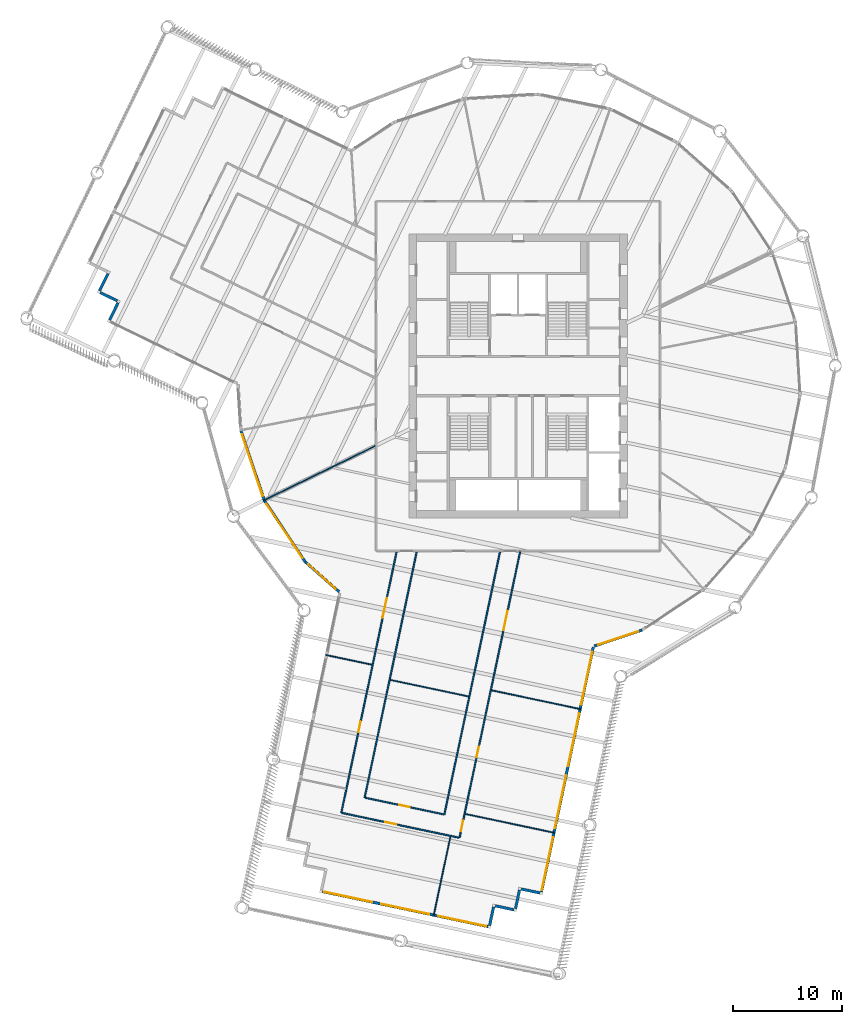
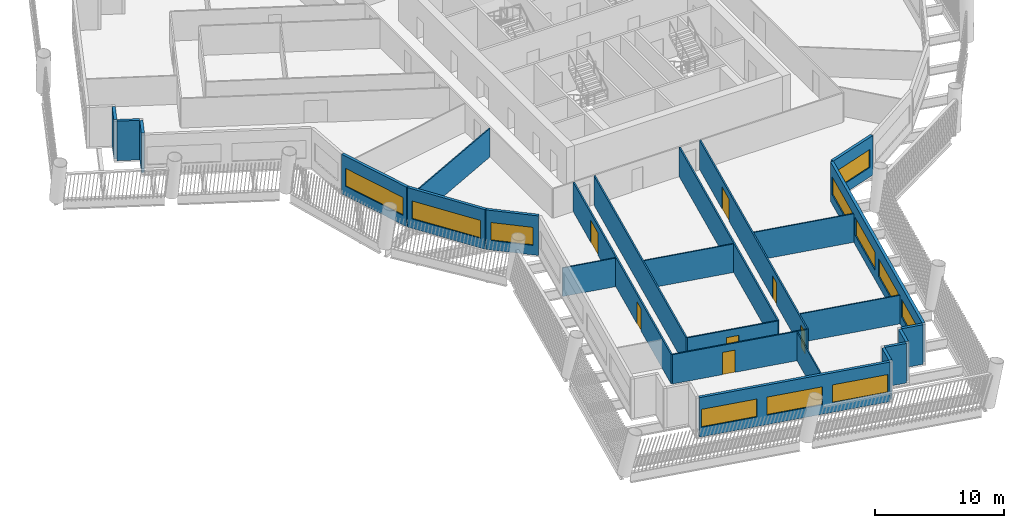
# One storey, part 3 of 15: 25 walls, 11 windows, 7 doors, 18 openings.
"""IFC4 building model written with IfcOpenShell, lengths in metres."""

from ifc_helpers import new_model, si_unit, direction, frame, frame_2d, origin, place, context, subcontext, project, spatial, rectangle, extrude, material, layer, layer_set, type_object, element, fill, save


model = new_model("IFC4")

# Units and contexts
model_context = context("Model", 3, precision=1e-05, world=origin(), true_north=direction((0.0, 1.0)))
body_context = subcontext(model_context, "Body", "Model", "MODEL_VIEW")
ifc_project = project(units=[si_unit("LENGTHUNIT", "METRE"), si_unit("AREAUNIT", "SQUARE_METRE"), si_unit("VOLUMEUNIT", "CUBIC_METRE"), si_unit("PLANEANGLEUNIT", "RADIAN"), si_unit("MASSUNIT", "GRAM", prefix="KILO")], contexts=[model_context])

# Site, building, storey
site_placement = place(None, origin())
site = spatial("IfcSite", under=ifc_project, at=site_placement, CompositionType="ELEMENT")
building_placement = place(site_placement, origin())
building = spatial("IfcBuilding", under=site, at=building_placement, Name="Tarsis Ring Headquarters", CompositionType="ELEMENT")
storey_placement = place(building_placement, frame((0.0, 0.0, 174.89990234375)))
storey = spatial("IfcBuildingStorey", under=building, at=storey_placement, Name="L40", CompositionType="ELEMENT", Elevation=174.89990234375)

# Walls
ifc_material_1 = material(Name="Gypsum board on steel studs", Category="steel")
ifc_layer_1 = layer(ifc_material_1, 0.10009765625)
ifc_layer_set_1 = layer_set([ifc_layer_1], Name="FL partition 100 unrated")
wall_type_1 = type_object("IfcWallType", Name="FL partition 100 unrated", PredefinedType="PARTITIONING", material=ifc_layer_set_1)
wall_1_placement = place(storey_placement, frame((-23.313720703125, -11.39111328125, 0.0), z_axis=(0.0, 0.0, 1.0), x_axis=(0.898488280008, 0.438997506472, 0.0)))
element("IfcWall", 1, at=wall_1_placement, inside=storey, type_object=wall_type_1, Name="Partition PW3", PredefinedType="PARTITIONING", context=body_context, shape_type="SweptSolid", body=[
    extrude(rectangle(XDim=11.388916015625, YDim=0.10009765625, at=frame_2d((5.6943359375, 0.0))), origin(), (0.0, 0.0, 1.0), 2.7001953125),
])
for number, where, z_axis, x_axis, name in (
    (2, (-4.830322265625, -40.0791015625, 0.0), (0.0, 0.0, 1.0), (0.978295265472, -0.207215765703, 0.0), "Partition PW3"),
    (3, (-2.4326171875, -28.76025390625, 0.0), (0.0, 0.0, 1.0), (0.978295265472, -0.207215765703, 0.0), "Partition PW3"),
):
    element("IfcWall", number, at=place(storey_placement, frame(where, z_axis=z_axis, x_axis=x_axis)), inside=storey, type_object=wall_type_1, Name=name, PredefinedType="PARTITIONING", context=body_context, shape_type="SweptSolid", body=[
        extrude(rectangle(XDim=8.369873046875, YDim=0.10009765625, at=frame_2d((4.18505859375, 0.0))), origin(), (0.0, 0.0, 1.0), 2.7001953125),
    ])
wall_2_placement = place(storey_placement, frame((-11.697021484375, -27.809814453125, 0.0), z_axis=(0.0, 0.0, 1.0), x_axis=(0.978294604451, -0.207218886453, 0.0)))
element("IfcWall", 4, at=wall_2_placement, inside=storey, type_object=wall_type_1, Name="Partition PW3", PredefinedType="PARTITIONING", context=body_context, shape_type="SweptSolid", body=[
    extrude(rectangle(XDim=7.320068359375, YDim=0.10009765625, at=frame_2d((3.66015625, 0.0))), origin(), (0.0, 0.0, 1.0), 2.7001953125),
])
wall_3_placement = place(storey_placement, frame((-7.739013671875, -49.4189453125, 0.0), z_axis=(0.0, 0.0, 1.0), x_axis=(0.207227496715, 0.978292780616, 0.0)))
element("IfcWall", 5, at=wall_3_placement, inside=storey, type_object=wall_type_1, Name="Partition PW3", PredefinedType="PARTITIONING", context=body_context, shape_type="SweptSolid", body=[
    extrude(rectangle(XDim=7.419921875, YDim=0.10009765625, at=frame_2d((3.7099609375, 0.0))), origin(), (0.0, 0.0, 1.0), 2.7001953125),
])
wall_4_placement = place(storey_placement, frame((-17.62158203125, -25.522216796875, 0.0), z_axis=(0.0, 0.0, 1.0), x_axis=(0.9782857701, -0.207260589643, 0.0)))
element("IfcWall", 6, at=wall_4_placement, inside=storey, type_object=wall_type_1, Name="Partition PW3", PredefinedType="PARTITIONING", context=body_context, shape_type="SweptSolid", body=[
    extrude(rectangle(XDim=4.330078125, YDim=0.10009765625, at=frame_2d((2.1650390625, 0.0))), origin(), (0.0, 0.0, 1.0), 2.7001953125),
])

# Wall, openings, doors
ifc_layer_2 = layer(ifc_material_1, 0.125)
ifc_layer_set_2 = layer_set([ifc_layer_2], Name="FL partition 125 EI 60 H2770")
wall_type_2 = type_object("IfcWallType", Name="FL partition 125 EI 60 H2770", PredefinedType="PARTITIONING", material=ifc_layer_set_2)
wall_5_placement = place(storey_placement, frame((-5.364990234375, -42.265625, 0.0), z_axis=(0.0, 0.0, 1.0), x_axis=(0.207227062336, 0.978292872628, 0.0)))
wall_5 = element("IfcWall", 7, at=wall_5_placement, inside=storey, type_object=wall_type_2, Name="Partition PW1", PredefinedType="PARTITIONING", context=body_context, shape_type="SweptSolid", body=[
    extrude(rectangle(XDim=26.848388671875, YDim=0.125, at=frame_2d((13.42431640625, 0.0))), origin(), (0.0, 0.0, 1.0), 2.77001953125),
])
opening_1_placement = place(wall_5_placement, frame((19.43603515625, 0.0, 0.0)))
opening_1 = element("IfcOpeningElement", 8, at=opening_1_placement, cuts=wall_5, Name="Opening D40.10", PredefinedType="OPENING", context=body_context, shape_type="SweptSolid", body=[
    extrude(rectangle(XDim=1.800048828125, YDim=2.10009765625, at=frame_2d((0.89990234375, 1.050048828125))), frame((0.0, 0.072509765625, 0.0), z_axis=(0.0, -1.0, 0.0), x_axis=(1.0, 0.0, 0.0)), (0.0, 0.0, 1.0), 0.14501953125),
])
opening_2_placement = place(wall_5_placement, frame((7.53564453125, 0.0, 0.0)))
opening_2 = element("IfcOpeningElement", 9, at=opening_2_placement, cuts=wall_5, Name="Opening D40.11", PredefinedType="OPENING", context=body_context, shape_type="SweptSolid", body=[
    extrude(rectangle(XDim=1.0, YDim=2.10009765625, at=frame_2d((0.5, 1.050048828125))), frame((0.0, 0.072509765625, 0.0), z_axis=(0.0, -1.0, 0.0), x_axis=(1.0, 0.0, 0.0)), (0.0, 0.0, 1.0), 0.14501953125),
])
opening_3_placement = place(wall_5_placement, frame((0.623779296875, 0.0, 0.0)))
opening_3 = element("IfcOpeningElement", 10, at=opening_3_placement, cuts=wall_5, Name="Opening D40.12", PredefinedType="OPENING", context=body_context, shape_type="SweptSolid", body=[
    extrude(rectangle(XDim=1.0, YDim=2.10009765625, at=frame_2d((0.5, 1.050048828125))), frame((0.0, 0.072509765625, 0.0), z_axis=(0.0, -1.0, 0.0), x_axis=(1.0, 0.0, 0.0)), (0.0, 0.0, 1.0), 0.14501953125),
])
ifc_material_2 = material(Name="Fire-rated timber door leaf in steel frame", Category="steel")
door_type_1 = type_object("IfcDoorType", Name="FL door FD60-1000", OperationType="NOTDEFINED", PredefinedType="DOOR", material=ifc_material_2)
door_1_placement = place(opening_2_placement, origin())
door_1 = element("IfcDoor", 11, at=door_1_placement, inside=storey, type_object=door_type_1, Name="Door D40.11", OperationType="SINGLE_SWING_LEFT", OverallHeight=2.10009765625, OverallWidth=1.0, PredefinedType="DOOR", context=body_context, shape_type="SweptSolid", body=[
    extrude(rectangle(XDim=1.0, YDim=2.10009765625, at=frame_2d((0.5, 1.050048828125))), frame((0.0, 0.02490234375, 0.0), z_axis=(0.0, -1.0, 0.0), x_axis=(1.0, 0.0, 0.0)), (0.0, 0.0, 1.0), 0.050048828125),
])
fill(opening_2, door_1)
door_2_placement = place(opening_3_placement, origin())
door_2 = element("IfcDoor", 12, at=door_2_placement, inside=storey, type_object=door_type_1, Name="Door D40.12", OperationType="SINGLE_SWING_RIGHT", OverallHeight=2.10009765625, OverallWidth=1.0, PredefinedType="DOOR", context=body_context, shape_type="SweptSolid", body=[
    extrude(rectangle(XDim=1.0, YDim=2.10009765625, at=frame_2d((0.5, 1.050048828125))), frame((0.0, 0.02490234375, 0.0), z_axis=(0.0, -1.0, 0.0), x_axis=(1.0, 0.0, 0.0)), (0.0, 0.0, 1.0), 0.050048828125),
])
fill(opening_3, door_2)
door_type_2 = type_object("IfcDoorType", Name="FL door FD60-1800", OperationType="DOUBLE_DOOR_SINGLE_SWING", PredefinedType="DOOR", material=ifc_material_2)
door_3_placement = place(opening_1_placement, origin())
door_3 = element("IfcDoor", 13, at=door_3_placement, inside=storey, type_object=door_type_2, Name="Door D40.10", OperationType="DOUBLE_DOOR_SINGLE_SWING", OverallHeight=2.10009765625, OverallWidth=1.800048828125, PredefinedType="DOOR", context=body_context, shape_type="SweptSolid", body=[
    extrude(rectangle(XDim=1.800048828125, YDim=2.10009765625, at=frame_2d((0.89990234375, 1.050048828125))), frame((0.0, 0.02490234375, 0.0), z_axis=(0.0, -1.0, 0.0), x_axis=(1.0, 0.0, 0.0)), (0.0, 0.0, 1.0), 0.050048828125),
])
fill(opening_1, door_3)

# Wall
wall_6_placement = place(storey_placement, frame((-6.7529296875, -40.131591796875, 0.0), z_axis=(0.0, 0.0, 1.0), x_axis=(0.207227886506, 0.978292698048, 0.0)))
element("IfcWall", 14, at=wall_6_placement, inside=storey, type_object=wall_type_2, Name="Partition PW1", PredefinedType="PARTITIONING", context=body_context, shape_type="SweptSolid", body=[
    extrude(rectangle(XDim=24.596923828125, YDim=0.125, at=frame_2d((12.29833984375, 0.0))), origin(), (0.0, 0.0, 1.0), 2.77001953125),
])

# Wall, openings, doors
wall_7_placement = place(storey_placement, frame((-16.18505859375, -39.9736328125, 0.0), z_axis=(0.0, 0.0, 1.0), x_axis=(0.207228378576, 0.978292593815, 0.0)))
wall_7 = element("IfcWall", 15, at=wall_7_placement, inside=storey, type_object=wall_type_2, Name="Partition PW1", PredefinedType="PARTITIONING", context=body_context, shape_type="SweptSolid", body=[
    extrude(rectangle(XDim=24.435546875, YDim=0.125, at=frame_2d((12.2177734375, 0.0))), origin(), (0.0, 0.0, 1.0), 2.77001953125),
])
opening_4_placement = place(wall_7_placement, frame((7.5458984375, 0.0, 0.0)))
opening_4 = element("IfcOpeningElement", 16, at=opening_4_placement, cuts=wall_7, Name="Opening D40.14", PredefinedType="OPENING", context=body_context, shape_type="SweptSolid", body=[
    extrude(rectangle(XDim=1.0, YDim=2.10009765625, at=frame_2d((0.5, 1.050048828125))), frame((0.0, 0.072509765625, 0.0), z_axis=(0.0, -1.0, 0.0), x_axis=(1.0, 0.0, 0.0)), (0.0, 0.0, 1.0), 0.14501953125),
])
opening_5_placement = place(wall_7_placement, frame((18.272216796875, 0.0, 0.0)))
opening_5 = element("IfcOpeningElement", 17, at=opening_5_placement, cuts=wall_7, Name="Opening D40.15", PredefinedType="OPENING", context=body_context, shape_type="SweptSolid", body=[
    extrude(rectangle(XDim=1.800048828125, YDim=2.10009765625, at=frame_2d((0.89990234375, 1.050048828125))), frame((0.0, 0.072509765625, 0.0), z_axis=(0.0, -1.0, 0.0), x_axis=(1.0, 0.0, 0.0)), (0.0, 0.0, 1.0), 0.14501953125),
])
door_4_placement = place(opening_4_placement, origin())
door_4 = element("IfcDoor", 18, at=door_4_placement, inside=storey, type_object=door_type_1, Name="Door D40.14", OperationType="SINGLE_SWING_RIGHT", OverallHeight=2.10009765625, OverallWidth=1.0, PredefinedType="DOOR", context=body_context, shape_type="SweptSolid", body=[
    extrude(rectangle(XDim=1.0, YDim=2.10009765625, at=frame_2d((0.5, 1.050048828125))), frame((0.0, 0.02490234375, 0.0), z_axis=(0.0, -1.0, 0.0), x_axis=(1.0, 0.0, 0.0)), (0.0, 0.0, 1.0), 0.050048828125),
])
fill(opening_4, door_4)
door_5_placement = place(opening_5_placement, origin())
door_5 = element("IfcDoor", 19, at=door_5_placement, inside=storey, type_object=door_type_2, Name="Door D40.15", OperationType="DOUBLE_DOOR_SINGLE_SWING", OverallHeight=2.10009765625, OverallWidth=1.800048828125, PredefinedType="DOOR", context=body_context, shape_type="SweptSolid", body=[
    extrude(rectangle(XDim=1.800048828125, YDim=2.10009765625, at=frame_2d((0.89990234375, 1.050048828125))), frame((0.0, 0.02490234375, 0.0), z_axis=(0.0, -1.0, 0.0), x_axis=(1.0, 0.0, 0.0)), (0.0, 0.0, 1.0), 0.050048828125),
])
fill(opening_5, door_5)

# Wall
wall_8_placement = place(storey_placement, frame((-14.051025390625, -38.585693359375, 0.0), z_axis=(0.0, 0.0, 1.0), x_axis=(0.207230755383, 0.978292090341, 0.0)))
element("IfcWall", 20, at=wall_8_placement, inside=storey, type_object=wall_type_2, Name="Partition PW1", PredefinedType="PARTITIONING", context=body_context, shape_type="SweptSolid", body=[
    extrude(rectangle(XDim=23.016845703125, YDim=0.125, at=frame_2d((11.50830078125, 0.0))), origin(), (0.0, 0.0, 1.0), 2.77001953125),
])

# Wall, opening, door
wall_9_placement = place(storey_placement, frame((-16.126220703125, -39.986083984375, 0.0), z_axis=(0.0, 0.0, 1.0), x_axis=(0.978291878867, -0.207231753705, 0.0)))
wall_9 = element("IfcWall", 21, at=wall_9_placement, inside=storey, type_object=wall_type_2, Name="Partition PW1", PredefinedType="PARTITIONING", context=body_context, shape_type="SweptSolid", body=[
    extrude(rectangle(XDim=10.93994140625, YDim=0.125, at=frame_2d((5.469970703125, 0.0))), origin(), (0.0, 0.0, 1.0), 2.77001953125),
])
opening_6_placement = place(wall_9_placement, frame((4.070068359375, 0.0, 0.0)))
opening_6 = element("IfcOpeningElement", 22, at=opening_6_placement, cuts=wall_9, Name="Opening D40.13", PredefinedType="OPENING", context=body_context, shape_type="SweptSolid", body=[
    extrude(rectangle(XDim=1.0, YDim=2.10009765625, at=frame_2d((0.5, 1.050048828125))), frame((0.0, 0.072509765625, 0.0), z_axis=(0.0, -1.0, 0.0), x_axis=(1.0, 0.0, 0.0)), (0.0, 0.0, 1.0), 0.14501953125),
])
door_6_placement = place(opening_6_placement, origin())
door_6 = element("IfcDoor", 23, at=door_6_placement, inside=storey, type_object=door_type_1, Name="Door D40.13", OperationType="SINGLE_SWING_LEFT", OverallHeight=2.10009765625, OverallWidth=1.0, PredefinedType="DOOR", context=body_context, shape_type="SweptSolid", body=[
    extrude(rectangle(XDim=1.0, YDim=2.10009765625, at=frame_2d((0.5, 1.050048828125))), frame((0.0, 0.02490234375, 0.0), z_axis=(0.0, -1.0, 0.0), x_axis=(1.0, 0.0, 0.0)), (0.0, 0.0, 1.0), 0.050048828125),
])
fill(opening_6, door_6)

wall_10_placement = place(storey_placement, frame((-13.992431640625, -38.59814453125, 0.0), z_axis=(0.0, 0.0, 1.0), x_axis=(0.978287492338, -0.207252460382, 0.0)))
wall_10 = element("IfcWall", 24, at=wall_10_placement, inside=storey, type_object=wall_type_2, Name="Partition PW1", PredefinedType="PARTITIONING", context=body_context, shape_type="SweptSolid", body=[
    extrude(rectangle(XDim=7.340087890625, YDim=0.125, at=frame_2d((3.669921875, 0.0))), origin(), (0.0, 0.0, 1.0), 2.77001953125),
])
opening_7_placement = place(wall_10_placement, frame((3.169921875, 0.0, 0.0)))
opening_7 = element("IfcOpeningElement", 25, at=opening_7_placement, cuts=wall_10, Name="Opening D40.19", PredefinedType="OPENING", context=body_context, shape_type="SweptSolid", body=[
    extrude(rectangle(XDim=1.0, YDim=2.10009765625, at=frame_2d((0.5, 1.050048828125))), frame((0.0, 0.072509765625, 0.0), z_axis=(0.0, -1.0, 0.0), x_axis=(1.0, 0.0, 0.0)), (0.0, 0.0, 1.0), 0.14501953125),
])
door_7_placement = place(opening_7_placement, origin())
door_7 = element("IfcDoor", 26, at=door_7_placement, inside=storey, type_object=door_type_1, Name="Door D40.19", OperationType="SINGLE_SWING_LEFT", OverallHeight=2.10009765625, OverallWidth=1.0, PredefinedType="DOOR", context=body_context, shape_type="SweptSolid", body=[
    extrude(rectangle(XDim=1.0, YDim=2.10009765625, at=frame_2d((0.5, 1.050048828125))), frame((0.0, 0.02490234375, 0.0), z_axis=(0.0, -1.0, 0.0), x_axis=(1.0, 0.0, 0.0)), (0.0, 0.0, 1.0), 0.050048828125),
])
fill(opening_7, door_7)

# Wall, opening, window
ifc_material_3 = material(Name="Terracotta clad insulated panel wall", Category="masonry")
ifc_layer_3 = layer(ifc_material_3, 0.25)
ifc_layer_set_3 = layer_set([ifc_layer_3], Name="Facade wall terracotta panel 250")
wall_type_3 = type_object("IfcWallType", Name="Facade wall terracotta panel 250", PredefinedType="STANDARD", material=ifc_layer_set_3)
wall_11_placement = place(storey_placement, frame((-25.389892578125, -4.97021484375, 0.0), z_axis=(0.0, 0.0, 1.0), x_axis=(0.317959781689, -0.948104201672, 0.0)))
wall_11 = element("IfcWall", 27, at=wall_11_placement, inside=storey, type_object=wall_type_3, Name="External wall L40-03", PredefinedType="STANDARD", context=body_context, shape_type="SweptSolid", body=[
    extrude(rectangle(XDim=6.7216796875, YDim=0.25, at=frame_2d((3.36083984375, 0.0))), origin(), (0.0, 0.0, 1.0), 3.739990234375),
])
opening_8_placement = place(wall_11_placement, frame((0.3857421875, 0.0, 0.89990234375)))
opening_8 = element("IfcOpeningElement", 28, at=opening_8_placement, cuts=wall_11, Name="Opening WN07", PredefinedType="OPENING", context=body_context, shape_type="SweptSolid", body=[
    extrude(rectangle(XDim=5.949951171875, YDim=1.699951171875, at=frame_2d((2.97509765625, 0.85009765625))), frame((0.0, 0.135009765625, 0.0), z_axis=(0.0, -1.0, 0.0), x_axis=(1.0, 0.0, 0.0)), (0.0, 0.0, 1.0), 0.27001953125),
])
ifc_material_4 = material(Name="Aluminium framed double glazing", Category="aluminium")
window_type_1 = type_object("IfcWindowType", Name="Facade window 5950 x 1700", PartitioningType="SINGLE_PANEL", PredefinedType="WINDOW", material=ifc_material_4)
window_1_placement = place(opening_8_placement, origin())
window_1 = element("IfcWindow", 29, at=window_1_placement, inside=storey, type_object=window_type_1, Name="Window L40-03.1", OverallHeight=1.699951171875, OverallWidth=5.949951171875, PartitioningType="SINGLE_PANEL", PredefinedType="WINDOW", context=body_context, shape_type="SweptSolid", body=[
    extrude(rectangle(XDim=5.949951171875, YDim=1.699951171875, at=frame_2d((2.97509765625, 0.85009765625))), frame((0.0, 0.030029296875, 0.0), z_axis=(0.0, -1.0, 0.0), x_axis=(1.0, 0.0, 0.0)), (0.0, 0.0, 1.0), 0.06005859375),
])
fill(opening_8, window_1)

wall_12_placement = place(storey_placement, frame((-23.23828125, -11.372314453125, 0.0), z_axis=(0.0, 0.0, 1.0), x_axis=(0.552535745188, -0.833489202263, 0.0)))
wall_12 = element("IfcWall", 30, at=wall_12_placement, inside=storey, type_object=wall_type_3, Name="External wall L40-04", PredefinedType="STANDARD", context=body_context, shape_type="SweptSolid", body=[
    extrude(rectangle(XDim=6.721435546875, YDim=0.25, at=frame_2d((3.36083984375, 0.0))), origin(), (0.0, 0.0, 1.0), 3.739990234375),
])
opening_9_placement = place(wall_12_placement, frame((0.3857421875, 0.0, 0.89990234375)))
opening_9 = element("IfcOpeningElement", 31, at=opening_9_placement, cuts=wall_12, Name="Opening WN07", PredefinedType="OPENING", context=body_context, shape_type="SweptSolid", body=[
    extrude(rectangle(XDim=5.949951171875, YDim=1.699951171875, at=frame_2d((2.97509765625, 0.85009765625))), frame((0.0, 0.135009765625, 0.0), z_axis=(0.0, -1.0, 0.0), x_axis=(1.0, 0.0, 0.0)), (0.0, 0.0, 1.0), 0.27001953125),
])
window_2_placement = place(opening_9_placement, origin())
window_2 = element("IfcWindow", 32, at=window_2_placement, inside=storey, type_object=window_type_1, Name="Window L40-04.1", OverallHeight=1.699951171875, OverallWidth=5.949951171875, PartitioningType="SINGLE_PANEL", PredefinedType="WINDOW", context=body_context, shape_type="SweptSolid", body=[
    extrude(rectangle(XDim=5.949951171875, YDim=1.699951171875, at=frame_2d((2.97509765625, 0.85009765625))), frame((0.0, 0.030029296875, 0.0), z_axis=(0.0, -1.0, 0.0), x_axis=(1.0, 0.0, 0.0)), (0.0, 0.0, 1.0), 0.06005859375),
])
fill(opening_9, window_2)

wall_13_placement = place(storey_placement, frame((-19.503173828125, -16.999267578125, 0.0), z_axis=(0.0, 0.0, 1.0), x_axis=(0.749417849205, -0.662097339742, 0.0)))
wall_13 = element("IfcWall", 33, at=wall_13_placement, inside=storey, type_object=wall_type_3, Name="External wall L40-05", PredefinedType="STANDARD", context=body_context, shape_type="SweptSolid", body=[
    extrude(rectangle(XDim=4.157470703125, YDim=0.25, at=frame_2d((2.07861328125, 0.0))), origin(), (0.0, 0.0, 1.0), 3.739990234375),
])
opening_10_placement = place(wall_13_placement, frame((0.38720703125, 0.0, 0.89990234375)))
opening_10 = element("IfcOpeningElement", 34, at=opening_10_placement, cuts=wall_13, Name="Opening WN01", PredefinedType="OPENING", context=body_context, shape_type="SweptSolid", body=[
    extrude(rectangle(XDim=3.35009765625, YDim=1.699951171875, at=frame_2d((1.675048828125, 0.85009765625))), frame((0.0, 0.135009765625, 0.0), z_axis=(0.0, -1.0, 0.0), x_axis=(1.0, 0.0, 0.0)), (0.0, 0.0, 1.0), 0.27001953125),
])
window_type_2 = type_object("IfcWindowType", Name="Facade window 3350 x 1700", PartitioningType="SINGLE_PANEL", PredefinedType="WINDOW", material=ifc_material_4)
window_3_placement = place(opening_10_placement, origin())
window_3 = element("IfcWindow", 35, at=window_3_placement, inside=storey, type_object=window_type_2, Name="Window L40-05.1", OverallHeight=1.699951171875, OverallWidth=3.35009765625, PartitioningType="SINGLE_PANEL", PredefinedType="WINDOW", context=body_context, shape_type="SweptSolid", body=[
    extrude(rectangle(XDim=3.35009765625, YDim=1.699951171875, at=frame_2d((1.675048828125, 0.85009765625))), frame((0.0, 0.030029296875, 0.0), z_axis=(0.0, -1.0, 0.0), x_axis=(1.0, 0.0, 0.0)), (0.0, 0.0, 1.0), 0.06005859375),
])
fill(opening_10, window_3)

# Wall, openings, windows
wall_14_placement = place(storey_placement, frame((-17.917236328125, -47.186279296875, 0.0), z_axis=(0.0, 0.0, 1.0), x_axis=(0.978291154141, -0.207235174932, 0.0)))
wall_14 = element("IfcWall", 36, at=wall_14_placement, inside=storey, type_object=wall_type_3, Name="External wall L40-11", PredefinedType="STANDARD", context=body_context, shape_type="SweptSolid", body=[
    extrude(rectangle(XDim=15.5, YDim=0.25, at=frame_2d((7.75, 0.0))), origin(), (0.0, 0.0, 1.0), 3.739990234375),
])
opening_11_placement = place(wall_14_placement, frame((0.166748046875, 0.0, 0.89990234375)))
opening_11 = element("IfcOpeningElement", 37, at=opening_11_placement, cuts=wall_14, Name="Opening WN04", PredefinedType="OPENING", context=body_context, shape_type="SweptSolid", body=[
    extrude(rectangle(XDim=4.5, YDim=1.699951171875, at=frame_2d((2.25, 0.85009765625))), frame((0.0, 0.135009765625, 0.0), z_axis=(0.0, -1.0, 0.0), x_axis=(1.0, 0.0, 0.0)), (0.0, 0.0, 1.0), 0.27001953125),
])
opening_12_placement = place(wall_14_placement, frame((5.5, 0.0, 0.89990234375)))
opening_12 = element("IfcOpeningElement", 38, at=opening_12_placement, cuts=wall_14, Name="Opening WN04", PredefinedType="OPENING", context=body_context, shape_type="SweptSolid", body=[
    extrude(rectangle(XDim=4.5, YDim=1.699951171875, at=frame_2d((2.25, 0.85009765625))), frame((0.0, 0.135009765625, 0.0), z_axis=(0.0, -1.0, 0.0), x_axis=(1.0, 0.0, 0.0)), (0.0, 0.0, 1.0), 0.27001953125),
])
opening_13_placement = place(wall_14_placement, frame((10.833251953125, 0.0, 0.89990234375)))
opening_13 = element("IfcOpeningElement", 39, at=opening_13_placement, cuts=wall_14, Name="Opening WN04", PredefinedType="OPENING", context=body_context, shape_type="SweptSolid", body=[
    extrude(rectangle(XDim=4.5, YDim=1.699951171875, at=frame_2d((2.25, 0.85009765625))), frame((0.0, 0.135009765625, 0.0), z_axis=(0.0, -1.0, 0.0), x_axis=(1.0, 0.0, 0.0)), (0.0, 0.0, 1.0), 0.27001953125),
])
window_type_3 = type_object("IfcWindowType", Name="Facade window 4500 x 1700", PartitioningType="SINGLE_PANEL", PredefinedType="WINDOW", material=ifc_material_4)
window_4_placement = place(opening_11_placement, origin())
window_4 = element("IfcWindow", 40, at=window_4_placement, inside=storey, type_object=window_type_3, Name="Window L40-11.1", OverallHeight=1.699951171875, OverallWidth=4.5, PartitioningType="SINGLE_PANEL", PredefinedType="WINDOW", context=body_context, shape_type="SweptSolid", body=[
    extrude(rectangle(XDim=4.5, YDim=1.699951171875, at=frame_2d((2.25, 0.85009765625))), frame((0.0, 0.030029296875, 0.0), z_axis=(0.0, -1.0, 0.0), x_axis=(1.0, 0.0, 0.0)), (0.0, 0.0, 1.0), 0.06005859375),
])
fill(opening_11, window_4)
window_5_placement = place(opening_12_placement, origin())
window_5 = element("IfcWindow", 41, at=window_5_placement, inside=storey, type_object=window_type_3, Name="Window L40-11.2", OverallHeight=1.699951171875, OverallWidth=4.5, PartitioningType="SINGLE_PANEL", PredefinedType="WINDOW", context=body_context, shape_type="SweptSolid", body=[
    extrude(rectangle(XDim=4.5, YDim=1.699951171875, at=frame_2d((2.25, 0.85009765625))), frame((0.0, 0.030029296875, 0.0), z_axis=(0.0, -1.0, 0.0), x_axis=(1.0, 0.0, 0.0)), (0.0, 0.0, 1.0), 0.06005859375),
])
fill(opening_12, window_5)
window_6_placement = place(opening_13_placement, origin())
window_6 = element("IfcWindow", 42, at=window_6_placement, inside=storey, type_object=window_type_3, Name="Window L40-11.3", OverallHeight=1.699951171875, OverallWidth=4.5, PartitioningType="SINGLE_PANEL", PredefinedType="WINDOW", context=body_context, shape_type="SweptSolid", body=[
    extrude(rectangle(XDim=4.5, YDim=1.699951171875, at=frame_2d((2.25, 0.85009765625))), frame((0.0, 0.030029296875, 0.0), z_axis=(0.0, -1.0, 0.0), x_axis=(1.0, 0.0, 0.0)), (0.0, 0.0, 1.0), 0.06005859375),
])
fill(opening_13, window_6)

# Walls
for number, where, z_axis, x_axis, name in (
    (43, (-2.60546875, -50.302001953125, 0.0), (0.0, 0.0, 1.0), (0.207184580372, 0.978301870414, 0.0), "External wall L40-12"),
    (44, (-2.0947265625, -48.49365234375, 0.0), (0.0, 0.0, 1.0), (0.978301870414, -0.207184580372, 0.0), "External wall L40-13"),
    (45, (-0.234619140625, -48.759765625, 0.0), (0.0, 0.0, 1.0), (0.207318103934, 0.978273583299, 0.0), "External wall L40-14"),
    (46, (0.2763671875, -46.951416015625, 0.0), (0.0, 0.0, 1.0), (0.978273583299, -0.207318103934, 0.0), "External wall L40-15"),
):
    element("IfcWall", number, at=place(storey_placement, frame(where, z_axis=z_axis, x_axis=x_axis)), inside=storey, type_object=wall_type_3, Name=name, PredefinedType="STANDARD", context=body_context, shape_type="SweptSolid", body=[
        extrude(rectangle(XDim=1.75, YDim=0.25, at=frame_2d((0.875, 0.0))), origin(), (0.0, 0.0, 1.0), 3.739990234375),
    ])

# Wall, openings, windows
wall_15_placement = place(storey_placement, frame((2.136474609375, -47.2177734375, 0.0), z_axis=(0.0, 0.0, 1.0), x_axis=(0.207229378579, 0.978292381987, 0.0)))
wall_15 = element("IfcWall", 47, at=wall_15_placement, inside=storey, type_object=wall_type_3, Name="External wall L40-16", PredefinedType="STANDARD", context=body_context, shape_type="SweptSolid", body=[
    extrude(rectangle(XDim=22.9013671875, YDim=0.25, at=frame_2d((11.45068359375, 0.0))), origin(), (0.0, 0.0, 1.0), 3.739990234375),
])
opening_14_placement = place(wall_15_placement, frame((0.1689453125, 0.0, 0.89990234375)))
opening_14 = element("IfcOpeningElement", 48, at=opening_14_placement, cuts=wall_15, Name="Opening WN05", PredefinedType="OPENING", context=body_context, shape_type="SweptSolid", body=[
    extrude(rectangle(XDim=4.949951171875, YDim=1.699951171875, at=frame_2d((2.47509765625, 0.85009765625))), frame((0.0, 0.135009765625, 0.0), z_axis=(0.0, -1.0, 0.0), x_axis=(1.0, 0.0, 0.0)), (0.0, 0.0, 1.0), 0.27001953125),
])
opening_15_placement = place(wall_15_placement, frame((5.956787109375, 0.0, 0.89990234375)))
opening_15 = element("IfcOpeningElement", 49, at=opening_15_placement, cuts=wall_15, Name="Opening WN05", PredefinedType="OPENING", context=body_context, shape_type="SweptSolid", body=[
    extrude(rectangle(XDim=4.949951171875, YDim=1.699951171875, at=frame_2d((2.47509765625, 0.85009765625))), frame((0.0, 0.135009765625, 0.0), z_axis=(0.0, -1.0, 0.0), x_axis=(1.0, 0.0, 0.0)), (0.0, 0.0, 1.0), 0.27001953125),
])
opening_16_placement = place(wall_15_placement, frame((11.74462890625, 0.0, 0.89990234375)))
opening_16 = element("IfcOpeningElement", 50, at=opening_16_placement, cuts=wall_15, Name="Opening WN05", PredefinedType="OPENING", context=body_context, shape_type="SweptSolid", body=[
    extrude(rectangle(XDim=4.949951171875, YDim=1.699951171875, at=frame_2d((2.47509765625, 0.85009765625))), frame((0.0, 0.135009765625, 0.0), z_axis=(0.0, -1.0, 0.0), x_axis=(1.0, 0.0, 0.0)), (0.0, 0.0, 1.0), 0.27001953125),
])
opening_17_placement = place(wall_15_placement, frame((17.532470703125, 0.0, 0.89990234375)))
opening_17 = element("IfcOpeningElement", 51, at=opening_17_placement, cuts=wall_15, Name="Opening WN05", PredefinedType="OPENING", context=body_context, shape_type="SweptSolid", body=[
    extrude(rectangle(XDim=4.949951171875, YDim=1.699951171875, at=frame_2d((2.47509765625, 0.85009765625))), frame((0.0, 0.135009765625, 0.0), z_axis=(0.0, -1.0, 0.0), x_axis=(1.0, 0.0, 0.0)), (0.0, 0.0, 1.0), 0.27001953125),
])
window_type_4 = type_object("IfcWindowType", Name="Facade window 4950 x 1700", PartitioningType="SINGLE_PANEL", PredefinedType="WINDOW", material=ifc_material_4)
window_7_placement = place(opening_14_placement, origin())
window_7 = element("IfcWindow", 52, at=window_7_placement, inside=storey, type_object=window_type_4, Name="Window L40-16.1", OverallHeight=1.699951171875, OverallWidth=4.949951171875, PartitioningType="SINGLE_PANEL", PredefinedType="WINDOW", context=body_context, shape_type="SweptSolid", body=[
    extrude(rectangle(XDim=4.949951171875, YDim=1.699951171875, at=frame_2d((2.47509765625, 0.85009765625))), frame((0.0, 0.030029296875, 0.0), z_axis=(0.0, -1.0, 0.0), x_axis=(1.0, 0.0, 0.0)), (0.0, 0.0, 1.0), 0.06005859375),
])
fill(opening_14, window_7)
window_8_placement = place(opening_15_placement, origin())
window_8 = element("IfcWindow", 53, at=window_8_placement, inside=storey, type_object=window_type_4, Name="Window L40-16.2", OverallHeight=1.699951171875, OverallWidth=4.949951171875, PartitioningType="SINGLE_PANEL", PredefinedType="WINDOW", context=body_context, shape_type="SweptSolid", body=[
    extrude(rectangle(XDim=4.949951171875, YDim=1.699951171875, at=frame_2d((2.47509765625, 0.85009765625))), frame((0.0, 0.030029296875, 0.0), z_axis=(0.0, -1.0, 0.0), x_axis=(1.0, 0.0, 0.0)), (0.0, 0.0, 1.0), 0.06005859375),
])
fill(opening_15, window_8)
window_9_placement = place(opening_16_placement, origin())
window_9 = element("IfcWindow", 54, at=window_9_placement, inside=storey, type_object=window_type_4, Name="Window L40-16.3", OverallHeight=1.699951171875, OverallWidth=4.949951171875, PartitioningType="SINGLE_PANEL", PredefinedType="WINDOW", context=body_context, shape_type="SweptSolid", body=[
    extrude(rectangle(XDim=4.949951171875, YDim=1.699951171875, at=frame_2d((2.47509765625, 0.85009765625))), frame((0.0, 0.030029296875, 0.0), z_axis=(0.0, -1.0, 0.0), x_axis=(1.0, 0.0, 0.0)), (0.0, 0.0, 1.0), 0.06005859375),
])
fill(opening_16, window_9)
window_10_placement = place(opening_17_placement, origin())
window_10 = element("IfcWindow", 55, at=window_10_placement, inside=storey, type_object=window_type_4, Name="Window L40-16.4", OverallHeight=1.699951171875, OverallWidth=4.949951171875, PartitioningType="SINGLE_PANEL", PredefinedType="WINDOW", context=body_context, shape_type="SweptSolid", body=[
    extrude(rectangle(XDim=4.949951171875, YDim=1.699951171875, at=frame_2d((2.47509765625, 0.85009765625))), frame((0.0, 0.030029296875, 0.0), z_axis=(0.0, -1.0, 0.0), x_axis=(1.0, 0.0, 0.0)), (0.0, 0.0, 1.0), 0.06005859375),
])
fill(opening_17, window_10)

# Wall, opening, window
wall_16_placement = place(storey_placement, frame((6.96484375, -24.720947265625, 0.0), z_axis=(0.0, 0.0, 1.0), x_axis=(0.948105447245, 0.31795606757, 0.0)))
wall_16 = element("IfcWall", 56, at=wall_16_placement, inside=storey, type_object=wall_type_3, Name="External wall L40-17", PredefinedType="STANDARD", context=body_context, shape_type="SweptSolid", body=[
    extrude(rectangle(XDim=4.617919921875, YDim=0.25, at=frame_2d((2.30908203125, 0.0))), origin(), (0.0, 0.0, 1.0), 3.739990234375),
])
opening_18_placement = place(wall_16_placement, frame((0.400390625, 0.0, 0.89990234375)))
opening_18 = element("IfcOpeningElement", 57, at=opening_18_placement, cuts=wall_16, Name="Opening WN02", PredefinedType="OPENING", context=body_context, shape_type="SweptSolid", body=[
    extrude(rectangle(XDim=3.85009765625, YDim=1.699951171875, at=frame_2d((1.925048828125, 0.85009765625))), frame((0.0, 0.135009765625, 0.0), z_axis=(0.0, -1.0, 0.0), x_axis=(1.0, 0.0, 0.0)), (0.0, 0.0, 1.0), 0.27001953125),
])
window_type_5 = type_object("IfcWindowType", Name="Facade window 3850 x 1700", PartitioningType="SINGLE_PANEL", PredefinedType="WINDOW", material=ifc_material_4)
window_11_placement = place(opening_18_placement, origin())
window_11 = element("IfcWindow", 58, at=window_11_placement, inside=storey, type_object=window_type_5, Name="Window L40-17.1", OverallHeight=1.699951171875, OverallWidth=3.85009765625, PartitioningType="SINGLE_PANEL", PredefinedType="WINDOW", context=body_context, shape_type="SweptSolid", body=[
    extrude(rectangle(XDim=3.85009765625, YDim=1.699951171875, at=frame_2d((1.925048828125, 0.85009765625))), frame((0.0, 0.030029296875, 0.0), z_axis=(0.0, -1.0, 0.0), x_axis=(1.0, 0.0, 0.0)), (0.0, 0.0, 1.0), 0.06005859375),
])
fill(opening_18, window_11)

# Walls
wall_17_placement = place(storey_placement, frame((-37.555419921875, 9.38671875, 0.0), z_axis=(0.0, 0.0, 1.0), x_axis=(-0.437645599186, -0.899147557141, 0.0)))
element("IfcWall", 59, at=wall_17_placement, inside=storey, type_object=wall_type_3, Name="External wall L40-38", PredefinedType="STANDARD", context=body_context, shape_type="SweptSolid", body=[
    extrude(rectangle(XDim=1.75, YDim=0.25, at=frame_2d((0.875, 0.0))), origin(), (0.0, 0.0, 1.0), 3.739990234375),
])
wall_18_placement = place(storey_placement, frame((-38.263671875, 7.646240234375, 0.0), z_axis=(0.0, 0.0, 1.0), x_axis=(0.89906591658, -0.437813290849, 0.0)))
element("IfcWall", 60, at=wall_18_placement, inside=storey, type_object=wall_type_3, Name="External wall L40-39", PredefinedType="STANDARD", context=body_context, shape_type="SweptSolid", body=[
    extrude(rectangle(XDim=1.749755859375, YDim=0.25, at=frame_2d((0.875, 0.0))), origin(), (0.0, 0.0, 1.0), 3.739990234375),
])
wall_19_placement = place(storey_placement, frame((-36.632568359375, 6.713134765625, 0.0), z_axis=(0.0, 0.0, 1.0), x_axis=(-0.437758378697, -0.899092654781, 0.0)))
element("IfcWall", 61, at=wall_19_placement, inside=storey, type_object=wall_type_3, Name="External wall L40-40", PredefinedType="STANDARD", context=body_context, shape_type="SweptSolid", body=[
    extrude(rectangle(XDim=1.75, YDim=0.25, at=frame_2d((0.875, 0.0))), origin(), (0.0, 0.0, 1.0), 3.739990234375),
])

save(model, "model.ifc")
